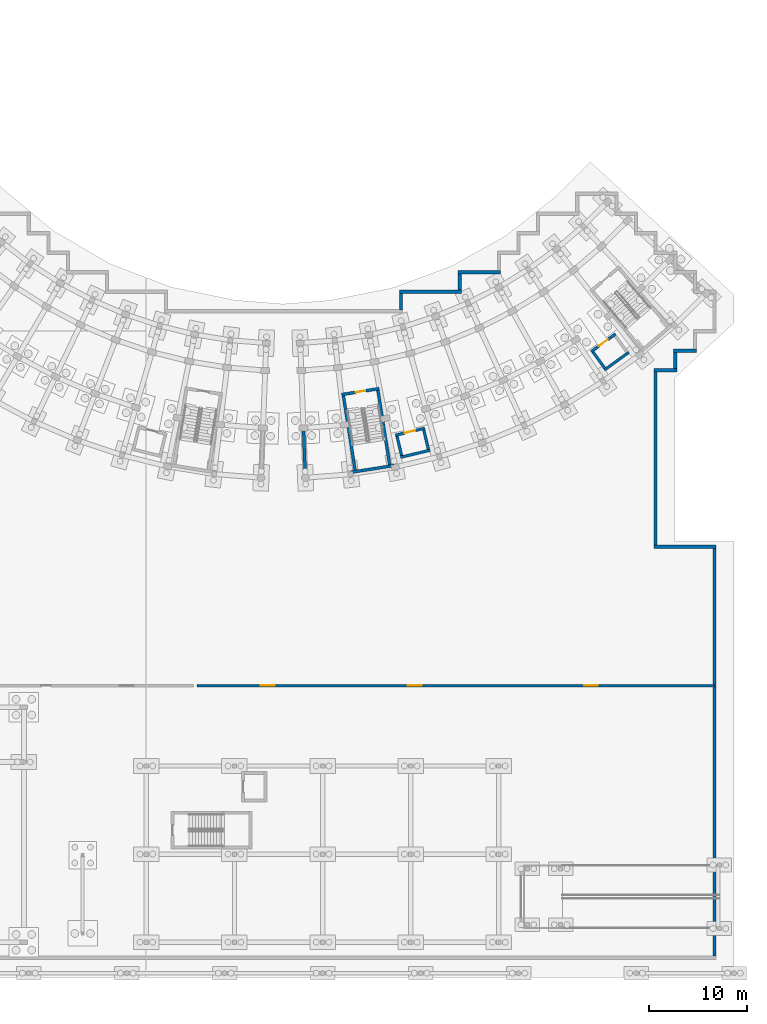
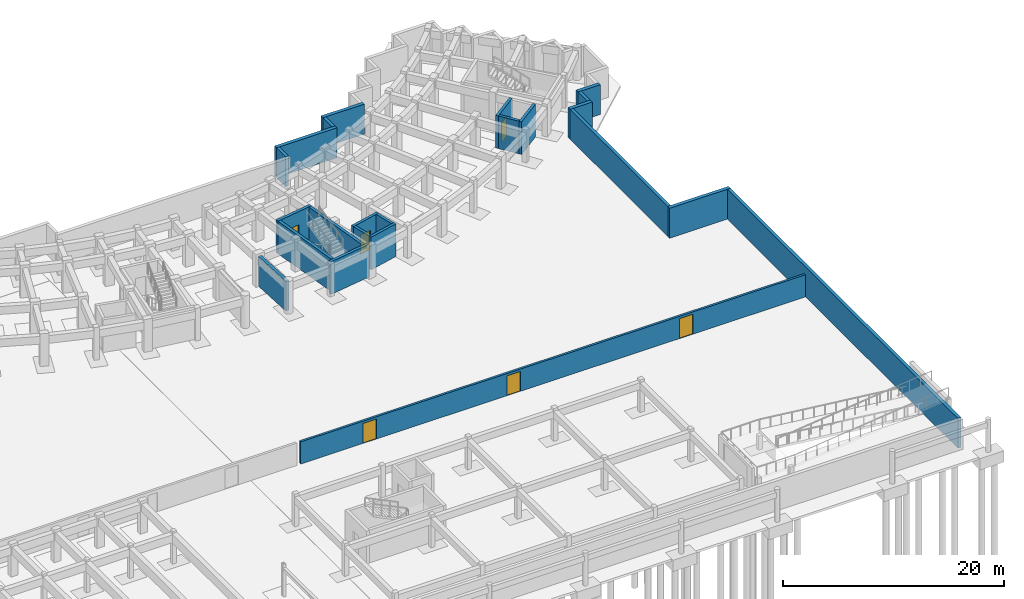
# One storey, part 22 of 32: 23 walls, 6 doors, 6 openings.
"""IFC4 building model written with IfcOpenShell, lengths in metres."""

import ifcopenshell
import ifcopenshell.guid

model = None  # the IFC model being written
_history = None  # IfcOwnerHistory: only IFC2X3 demands one
_inside = {}  # id of a spatial element -> (the spatial element, [elements in it])
_under = {}  # id of a project, library or spatial element -> (it, [spatial elements below it])
_declared = {}  # id of a project -> (the project, [libraries it declares])
_typed = {}  # id of a type object -> (the type object, [elements of that type])
_made_of = {}  # id of a material, layer set ... -> (it, [elements and type objects made of it])


def new_model(schema):
    """Start an empty IFC model of exactly this schema.

    Asked for "IFC4X3", IfcOpenShell would pick the latest addendum, in which some entities
    have other attributes; the version numbers below select the first issue.
    IFC2X3 requires an IfcOwnerHistory on every rooted entity: one is made here for all.
    """
    global model, _history
    if schema == "IFC4X3":
        model = ifcopenshell.file(schema_version=(4, 3, 0, 0))
    else:
        model = ifcopenshell.file(schema=schema)
    _inside.clear()
    _under.clear()
    _declared.clear()
    _typed.clear()
    _made_of.clear()
    _history = None
    if model.schema == "IFC2X3":
        org = make("IfcOrganization", Name="unknown")
        user = make(
            "IfcPersonAndOrganization",
            ThePerson=make("IfcPerson", FamilyName="unknown"),
            TheOrganization=org,
        )
        app = make(
            "IfcApplication",
            ApplicationDeveloper=org,
            Version="unknown",
            ApplicationFullName="unknown",
            ApplicationIdentifier="unknown",
        )
        _history = make(
            "IfcOwnerHistory",
            OwningUser=user,
            OwningApplication=app,
            ChangeAction="ADDED",
            CreationDate=0,
        )
    return model


def make(cls, **values):
    """One entity of the class cls with the attributes given. An attribute that is None is left unset."""
    return model.create_entity(
        cls, **{name: value for name, value in values.items() if value is not None}
    )


def rooted(cls, **values):
    """An entity with a GlobalId (a new one), such as an element, a storey or a relation."""
    return make(cls, GlobalId=ifcopenshell.guid.new(), OwnerHistory=_history, **values)


def si_unit(unit_type, name, prefix=None):
    """IfcSIUnit, for example si_unit("LENGTHUNIT", "METRE", prefix="MILLI")."""
    return make("IfcSIUnit", UnitType=unit_type, Prefix=prefix, Name=name)


def assignment(units):
    """IfcUnitAssignment: the units of a project."""
    return None if units is None else make("IfcUnitAssignment", Units=units)


def point(xyz):
    """IfcCartesianPoint."""
    return None if xyz is None else make("IfcCartesianPoint", Coordinates=xyz)


def direction(xyz):
    """IfcDirection."""
    return None if xyz is None else make("IfcDirection", DirectionRatios=xyz)


def frame(location, z_axis=None, x_axis=None):
    """IfcAxis2Placement3D, a coordinate frame: its origin and axes. An axis left out is left unset."""
    return make(
        "IfcAxis2Placement3D",
        Location=point(location),
        Axis=direction(z_axis),
        RefDirection=direction(x_axis),
    )


def frame_2d(location, x_axis=None):
    """IfcAxis2Placement2D, a coordinate frame in the plane: its origin and x axis."""
    return make(
        "IfcAxis2Placement2D", Location=point(location), RefDirection=direction(x_axis)
    )


def origin():
    """The frame at (0, 0, 0) with its axes left unset."""
    return frame((0.0, 0.0, 0.0))


def place(relative_to, where):
    """IfcLocalPlacement: puts the frame where relative to a parent placement (None: the world)."""
    return make(
        "IfcLocalPlacement", PlacementRelTo=relative_to, RelativePlacement=where
    )


def context(
    kind, dimensions, precision=None, world=None, true_north=None, identifier=None
):
    """IfcGeometricRepresentationContext, for example the 3D "Model" context."""
    return make(
        "IfcGeometricRepresentationContext",
        ContextIdentifier=identifier,
        ContextType=kind,
        CoordinateSpaceDimension=dimensions,
        Precision=precision,
        WorldCoordinateSystem=world,
        TrueNorth=true_north,
    )


def subcontext(parent, identifier, kind, view, scale=None):
    """IfcGeometricRepresentationSubContext, for example "Body" below "Model"."""
    return make(
        "IfcGeometricRepresentationSubContext",
        ContextIdentifier=identifier,
        ContextType=kind,
        ParentContext=parent,
        TargetScale=scale,
        TargetView=view,
    )


def project(units=None, contexts=None):
    """IfcProject with its units and contexts."""
    return rooted(
        "IfcProject",
        Name="project",
        RepresentationContexts=contexts,
        UnitsInContext=assignment(units),
    )


def spatial(cls, under=None, at=None, **own):
    """A site, building, storey or space (cls), placed at a placement, below another one or the project."""
    s = rooted(cls, ObjectPlacement=at, **own)
    if under is not None:
        _under.setdefault(under.id(), (under, []))[1].append(s)
    return s


def profile(cls, at=None, kind="AREA", **sizes):
    """A parametric profile (cls). Its sizes go by their IFC names, for example OverallWidth=200.0."""
    return make(cls, ProfileType=kind, Position=at, **sizes)


def rectangle(**sizes):
    """IfcRectangleProfileDef."""
    return profile("IfcRectangleProfileDef", **sizes)


def extrude(swept, where, along, depth):
    """IfcExtrudedAreaSolid: the profile swept, set in the frame where, extruded along a direction by depth."""
    return make(
        "IfcExtrudedAreaSolid",
        SweptArea=swept,
        Position=where,
        ExtrudedDirection=direction(along),
        Depth=depth,
    )


def shape(context_of_items, identifier, shape_type, items):
    """IfcShapeRepresentation: the items that make up one representation, for example the "Body"."""
    return make(
        "IfcShapeRepresentation",
        ContextOfItems=context_of_items,
        RepresentationIdentifier=identifier,
        RepresentationType=shape_type,
        Items=items,
    )


def material(Name=None, Category=None):
    """IfcMaterial."""
    return make("IfcMaterial", Name=Name, Category=Category)


def layer(
    of_material, thickness, ventilated=None, Name=None, Category=None, Priority=None
):
    """IfcMaterialLayer: one layer of a wall or slab, of a material (None: an air gap)."""
    return make(
        "IfcMaterialLayer",
        Material=of_material,
        LayerThickness=thickness,
        IsVentilated=ventilated,
        Name=Name,
        Category=Category,
        Priority=Priority,
    )


def layer_set(layers, Name=None):
    """IfcMaterialLayerSet."""
    return make("IfcMaterialLayerSet", MaterialLayers=layers, LayerSetName=Name)


def made_of(thing, what):
    """Note that an element or type object is made of a material, layer set ...; save() writes the relation."""
    if what is not None:
        _made_of.setdefault(what.id(), (what, []))[1].append(thing)
    return thing


def type_object(cls, material=None, **own):
    """A type object (cls), such as IfcWallType, which elements share."""
    return made_of(rooted(cls, **own), material)


def element(
    cls,
    number,
    at=None,
    inside=None,
    cuts=None,
    type_object=None,
    material=None,
    context=None,
    identifier="Body",
    shape_type=None,
    held_by="IfcProductDefinitionShape",
    body=None,
    shapes=None,
    **own,
):
    """One element of the class cls, such as IfcWall. Its Tag is "e" and its number.

    at: its placement. inside: the storey or other place that contains it. cuts: it is an
    opening in that element (IfcRelVoidsElement). A single representation is given by context,
    identifier, shape_type and body (its items); several are given by shapes. held_by: the class
    of the entity that holds the representations. save() writes the other relations.
    """
    e = rooted(cls, Tag="e%d" % number, ObjectPlacement=at, **own)
    if body is not None:
        shapes = [shape(context, identifier, shape_type, body)]
    if shapes is not None:
        e.Representation = make(held_by, Representations=shapes)
    if inside is not None:
        _inside.setdefault(inside.id(), (inside, []))[1].append(e)
    if cuts is not None:
        rooted(
            "IfcRelVoidsElement", RelatingBuildingElement=cuts, RelatedOpeningElement=e
        )
    if type_object is not None:
        _typed.setdefault(type_object.id(), (type_object, []))[1].append(e)
    return made_of(e, material)


def fill(opening, filler):
    """IfcRelFillsElement: the door or window that sits in an opening."""
    return rooted(
        "IfcRelFillsElement",
        RelatingOpeningElement=opening,
        RelatedBuildingElement=filler,
    )


def aggregate(whole, parts):
    """IfcRelAggregates: a whole, such as a stair, and the parts it consists of."""
    return rooted("IfcRelAggregates", RelatingObject=whole, RelatedObjects=parts)


def save(model, path):
    """Write the relations noted so far, then the file.

    IfcRelAggregates (storeys below a building ...), IfcRelContainedInSpatialStructure (elements
    in a storey), IfcRelDefinesByType, IfcRelAssociatesMaterial and IfcRelDeclares: one each for
    every whole, place, type object, material and project.
    """
    for whole, parts in _under.values():
        aggregate(whole, parts)
    for where, things in _inside.values():
        rooted(
            "IfcRelContainedInSpatialStructure",
            RelatedElements=things,
            RelatingStructure=where,
        )
    for kind, things in _typed.values():
        rooted("IfcRelDefinesByType", RelatedObjects=things, RelatingType=kind)
    for what, things in _made_of.values():
        rooted("IfcRelAssociatesMaterial", RelatedObjects=things, RelatingMaterial=what)
    for by, libraries in _declared.values():
        rooted("IfcRelDeclares", RelatingContext=by, RelatedDefinitions=libraries)
    model.write(path)


model = new_model("IFC4")

# Units and contexts
model_context = context("Model", 3, precision=1e-05, world=origin(), true_north=direction((0.0, 1.0)))
body_context = subcontext(model_context, "Body", "Model", "MODEL_VIEW")
ifc_project = project(units=[si_unit("LENGTHUNIT", "METRE"), si_unit("AREAUNIT", "SQUARE_METRE"), si_unit("VOLUMEUNIT", "CUBIC_METRE"), si_unit("PLANEANGLEUNIT", "RADIAN"), si_unit("MASSUNIT", "GRAM", prefix="KILO")], contexts=[model_context])

# Site, building, storey
site_placement = place(None, origin())
site = spatial("IfcSite", under=ifc_project, at=site_placement, CompositionType="ELEMENT")
building_placement = place(site_placement, origin())
building = spatial("IfcBuilding", under=site, at=building_placement, Name="Zimvara Arc Housing Community", CompositionType="ELEMENT")
storey_placement = place(building_placement, frame((0.0, 0.0, -3.60009765625)))
storey = spatial("IfcBuildingStorey", under=building, at=storey_placement, Name="B1", CompositionType="ELEMENT", Elevation=-3.60009765625)

# Wall, openings, doors
ifc_material_1 = material(Name="Concrete C35/45", Category="concrete")
ifc_layer_1 = layer(ifc_material_1, 0.22509765625)
ifc_layer_set_1 = layer_set([ifc_layer_1], Name="Concrete C35/45")
wall_type_1 = type_object("IfcWallType", Name="IWL-PLNT-225", PredefinedType="SOLIDWALL", material=ifc_layer_set_1)
wall_1_placement = place(storey_placement, frame((117.199951171875, 29.800048828125, 0.0), z_axis=(0.0, 0.0, 1.0), x_axis=(1.0, 0.0, 0.0)))
wall_1 = element("IfcWall", 1, at=wall_1_placement, inside=storey, type_object=wall_type_1, Name="iwall:civ:b1_east_pl", PredefinedType="SOLIDWALL", context=body_context, shape_type="SweptSolid", body=[
    extrude(rectangle(XDim=52.800048828125, YDim=0.22509765625, at=frame_2d((26.39990234375, 0.0))), origin(), (0.0, 0.0, 1.0), 2.4501953125),
])
opening_1_placement = place(wall_1_placement, frame((6.5, 0.0, 0.0)))
opening_1 = element("IfcOpeningElement", 2, at=opening_1_placement, cuts=wall_1, Name="Opening FD-PL2", PredefinedType="OPENING", context=body_context, shape_type="SweptSolid", body=[
    extrude(rectangle(XDim=1.39990234375, YDim=2.199951171875, at=frame_2d((0.699951171875, 1.10009765625))), frame((0.0, 0.12255859375, 0.0), z_axis=(0.0, -1.0, 0.0), x_axis=(1.0, 0.0, 0.0)), (0.0, 0.0, 1.0), 0.2451171875),
])
opening_2_placement = place(wall_1_placement, frame((21.5, 0.0, 0.0)))
opening_2 = element("IfcOpeningElement", 3, at=opening_2_placement, cuts=wall_1, Name="Opening FD-PL2", PredefinedType="OPENING", context=body_context, shape_type="SweptSolid", body=[
    extrude(rectangle(XDim=1.39990234375, YDim=2.199951171875, at=frame_2d((0.699951171875, 1.10009765625))), frame((0.0, 0.12255859375, 0.0), z_axis=(0.0, -1.0, 0.0), x_axis=(1.0, 0.0, 0.0)), (0.0, 0.0, 1.0), 0.2451171875),
])
opening_3_placement = place(wall_1_placement, frame((39.5, 0.0, 0.0)))
opening_3 = element("IfcOpeningElement", 4, at=opening_3_placement, cuts=wall_1, Name="Opening FD-PL2", PredefinedType="OPENING", context=body_context, shape_type="SweptSolid", body=[
    extrude(rectangle(XDim=1.39990234375, YDim=2.199951171875, at=frame_2d((0.699951171875, 1.10009765625))), frame((0.0, 0.12255859375, 0.0), z_axis=(0.0, -1.0, 0.0), x_axis=(1.0, 0.0, 0.0)), (0.0, 0.0, 1.0), 0.2451171875),
])
ifc_material_2 = material(Name="Anodised Aluminium AW-6063", Category="aluminium")
door_type_1 = type_object("IfcDoorType", Name="IDR-PLNT-1400x2200", OperationType="DOUBLE_DOOR_SINGLE_SWING", PredefinedType="DOOR", material=ifc_material_2)
door_1_placement = place(opening_1_placement, origin())
door_1 = element("IfcDoor", 5, at=door_1_placement, inside=storey, type_object=door_type_1, Name="idoor:civ:sub_d", OperationType="DOUBLE_DOOR_SINGLE_SWING", OverallHeight=2.199951171875, OverallWidth=1.39990234375, PredefinedType="DOOR", context=body_context, shape_type="SweptSolid", body=[
    extrude(rectangle(XDim=1.39990234375, YDim=2.199951171875, at=frame_2d((0.699951171875, 1.10009765625))), frame((0.0, 0.02490234375, 0.0), z_axis=(0.0, -1.0, 0.0), x_axis=(1.0, 0.0, 0.0)), (0.0, 0.0, 1.0), 0.050048828125),
])
fill(opening_1, door_1)
door_2_placement = place(opening_2_placement, origin())
door_2 = element("IfcDoor", 6, at=door_2_placement, inside=storey, type_object=door_type_1, Name="idoor:civ:gen_d", OperationType="DOUBLE_DOOR_SINGLE_SWING", OverallHeight=2.199951171875, OverallWidth=1.39990234375, PredefinedType="DOOR", context=body_context, shape_type="SweptSolid", body=[
    extrude(rectangle(XDim=1.39990234375, YDim=2.199951171875, at=frame_2d((0.699951171875, 1.10009765625))), frame((0.0, 0.02490234375, 0.0), z_axis=(0.0, -1.0, 0.0), x_axis=(1.0, 0.0, 0.0)), (0.0, 0.0, 1.0), 0.050048828125),
])
fill(opening_2, door_2)
door_3_placement = place(opening_3_placement, origin())
door_3 = element("IfcDoor", 7, at=door_3_placement, inside=storey, type_object=door_type_1, Name="idoor:civ:cye_d", OperationType="DOUBLE_DOOR_SINGLE_SWING", OverallHeight=2.199951171875, OverallWidth=1.39990234375, PredefinedType="DOOR", context=body_context, shape_type="SweptSolid", body=[
    extrude(rectangle(XDim=1.39990234375, YDim=2.199951171875, at=frame_2d((0.699951171875, 1.10009765625))), frame((0.0, 0.02490234375, 0.0), z_axis=(0.0, -1.0, 0.0), x_axis=(1.0, 0.0, 0.0)), (0.0, 0.0, 1.0), 0.050048828125),
])
fill(opening_3, door_3)

# Wall, opening, door
ifc_material_3 = material(Name="Concrete C40/50", Category="concrete")
ifc_layer_2 = layer(ifc_material_3, 0.280029296875)
ifc_layer_set_2 = layer_set([ifc_layer_2], Name="Concrete C40/50")
wall_type_2 = type_object("IfcWallType", Name="WL-CORE-280", PredefinedType="SHEAR", material=ifc_layer_set_2)
wall_2_placement = place(storey_placement, frame((137.4248046875, 55.3623046875, 0.0), z_axis=(0.0, 0.0, 1.0), x_axis=(0.972573452388, 0.232595958069, 0.0)))
wall_2 = element("IfcWall", 8, at=wall_2_placement, inside=storey, type_object=wall_type_2, Name="lwall:LP-D1:B1:front", PredefinedType="SHEAR", context=body_context, shape_type="SweptSolid", body=[
    extrude(rectangle(XDim=3.090087890625, YDim=0.280029296875, at=frame_2d((1.544921875, 0.0))), origin(), (0.0, 0.0, 1.0), 3.60009765625),
])
opening_4_placement = place(wall_2_placement, frame((0.9951171875, 0.0, 0.0)))
opening_4 = element("IfcOpeningElement", 9, at=opening_4_placement, cuts=wall_2, Name="Opening LD-LP-D1", PredefinedType="OPENING", context=body_context, shape_type="SweptSolid", body=[
    extrude(rectangle(XDim=1.10009765625, YDim=2.14990234375, at=frame_2d((0.550048828125, 1.074951171875))), frame((0.0, 0.14990234375, 0.0), z_axis=(0.0, -1.0, 0.0), x_axis=(1.0, 0.0, 0.0)), (0.0, 0.0, 1.0), 0.300048828125),
])
ifc_material_4 = material(Name="Anodised Aluminium AW-6063", Category="aluminium")
door_type_2 = type_object("IfcDoorType", Name="IDR-LD-1100x2150", OperationType="DOUBLE_DOOR_SLIDING", PredefinedType="DOOR", material=ifc_material_4)
door_4_placement = place(opening_4_placement, origin())
door_4 = element("IfcDoor", 10, at=door_4_placement, inside=storey, type_object=door_type_2, Name="Lift LP-D1 Sliding Landing Door B1", OperationType="DOUBLE_DOOR_SLIDING", OverallHeight=2.14990234375, OverallWidth=1.10009765625, PredefinedType="DOOR", context=body_context, shape_type="SweptSolid", body=[
    extrude(rectangle(XDim=1.10009765625, YDim=2.14990234375, at=frame_2d((0.550048828125, 1.074951171875))), frame((0.0, 0.02490234375, 0.0), z_axis=(0.0, -1.0, 0.0), x_axis=(1.0, 0.0, 0.0)), (0.0, 0.0, 1.0), 0.050048828125),
])
fill(opening_4, door_4)

# Walls
wall_3_placement = place(storey_placement, frame((137.962158203125, 53.11572265625, 0.0), z_axis=(0.0, 0.0, 1.0), x_axis=(0.972573452388, 0.232595958069, 0.0)))
element("IfcWall", 11, at=wall_3_placement, inside=storey, type_object=wall_type_2, Name="lwall:LP-D1:B1:back", PredefinedType="SHEAR", context=body_context, shape_type="SweptSolid", body=[
    extrude(rectangle(XDim=3.090087890625, YDim=0.280029296875, at=frame_2d((1.544921875, 0.0))), origin(), (0.0, 0.0, 1.0), 3.60009765625),
])
for number, where, z_axis, x_axis, name in (
    (12, (137.593505859375, 55.2587890625, 0.0), (0.0, 0.0, 1.0), (0.232590524316, -0.972574751882, 0.0), "lwall:LP-D1:B1:left"),
    (13, (140.326416015625, 55.912353515625, 0.0), (0.0, 0.0, 1.0), (0.232590524316, -0.972574751882, 0.0), "lwall:LP-D1:B1:right"),
):
    element("IfcWall", number, at=place(storey_placement, frame(where, z_axis=z_axis, x_axis=x_axis)), inside=storey, type_object=wall_type_2, Name=name, PredefinedType="SHEAR", context=body_context, shape_type="SweptSolid", body=[
        extrude(rectangle(XDim=2.030029296875, YDim=0.280029296875, at=frame_2d((1.01513671875, 0.0))), origin(), (0.0, 0.0, 1.0), 3.60009765625),
    ])

# Wall, opening, door
wall_4_placement = place(storey_placement, frame((157.408935546875, 63.890380859375, 0.0), z_axis=(0.0, 0.0, 1.0), x_axis=(0.809510936031, 0.587104798521, 0.0)))
wall_4 = element("IfcWall", 14, at=wall_4_placement, inside=storey, type_object=wall_type_2, Name="lwall:LP-D2:B1:front", PredefinedType="SHEAR", context=body_context, shape_type="SweptSolid", body=[
    extrude(rectangle(XDim=3.090087890625, YDim=0.280029296875, at=frame_2d((1.544921875, 0.0))), origin(), (0.0, 0.0, 1.0), 3.60009765625),
])
opening_5_placement = place(wall_4_placement, frame((0.9951171875, 0.0, 0.0)))
opening_5 = element("IfcOpeningElement", 15, at=opening_5_placement, cuts=wall_4, Name="Opening LD-LP-D2", PredefinedType="OPENING", context=body_context, shape_type="SweptSolid", body=[
    extrude(rectangle(XDim=1.10009765625, YDim=2.14990234375, at=frame_2d((0.550048828125, 1.074951171875))), frame((0.0, 0.14990234375, 0.0), z_axis=(0.0, -1.0, 0.0), x_axis=(1.0, 0.0, 0.0)), (0.0, 0.0, 1.0), 0.300048828125),
])
door_5_placement = place(opening_5_placement, origin())
door_5 = element("IfcDoor", 16, at=door_5_placement, inside=storey, type_object=door_type_2, Name="Lift LP-D2 Sliding Landing Door B1", OperationType="DOUBLE_DOOR_SLIDING", OverallHeight=2.14990234375, OverallWidth=1.10009765625, PredefinedType="DOOR", context=body_context, shape_type="SweptSolid", body=[
    extrude(rectangle(XDim=1.10009765625, YDim=2.14990234375, at=frame_2d((0.550048828125, 1.074951171875))), frame((0.0, 0.02490234375, 0.0), z_axis=(0.0, -1.0, 0.0), x_axis=(1.0, 0.0, 0.0)), (0.0, 0.0, 1.0), 0.050048828125),
])
fill(opening_5, door_5)

# Walls
wall_5_placement = place(storey_placement, frame((158.76513671875, 62.0205078125, 0.0), z_axis=(0.0, 0.0, 1.0), x_axis=(0.809548485838, 0.587053020669, 0.0)))
element("IfcWall", 17, at=wall_5_placement, inside=storey, type_object=wall_type_2, Name="lwall:LP-D2:B1:back", PredefinedType="SHEAR", context=body_context, shape_type="SweptSolid", body=[
    extrude(rectangle(XDim=3.08984375, YDim=0.280029296875, at=frame_2d((1.544921875, 0.0))), origin(), (0.0, 0.0, 1.0), 3.60009765625),
])
wall_6_placement = place(storey_placement, frame((157.6044921875, 63.859375, 0.0), z_axis=(0.0, 0.0, 1.0), x_axis=(0.587127188998, -0.809494696671, 0.0)))
element("IfcWall", 18, at=wall_6_placement, inside=storey, type_object=wall_type_2, Name="lwall:LP-D2:B1:left", PredefinedType="SHEAR", context=body_context, shape_type="SweptSolid", body=[
    extrude(rectangle(XDim=2.030029296875, YDim=0.280029296875, at=frame_2d((1.01513671875, 0.0))), origin(), (0.0, 0.0, 1.0), 3.60009765625),
])

# Wall, opening, door
ifc_material_5 = material(Name="Concrete C40/50", Category="concrete")
ifc_layer_3 = layer(ifc_material_5, 0.300048828125)
ifc_layer_set_3 = layer_set([ifc_layer_3], Name="Concrete C40/50")
wall_type_3 = type_object("IfcWallType", Name="WL-CORE-300", PredefinedType="SHEAR", material=ifc_layer_set_3)
wall_7_placement = place(storey_placement, frame((131.948974609375, 59.520751953125, 0.0), z_axis=(0.0, 0.0, 1.0), x_axis=(0.98782579805, 0.155564111245, 0.0)))
wall_7 = element("IfcWall", 19, at=wall_7_placement, inside=storey, type_object=wall_type_3, Name="cwall:ST-D1:B1:near", PredefinedType="SHEAR", context=body_context, shape_type="SweptSolid", body=[
    extrude(rectangle(XDim=3.8701171875, YDim=0.300048828125, at=frame_2d((1.93505859375, 0.0))), origin(), (0.0, 0.0, 1.0), 3.60009765625),
])
opening_6_placement = place(wall_7_placement, frame((1.43505859375, 0.0, 0.0)))
opening_6 = element("IfcOpeningElement", 20, at=opening_6_placement, cuts=wall_7, Name="Opening FD-ST1", PredefinedType="OPENING", context=body_context, shape_type="SweptSolid", body=[
    extrude(rectangle(XDim=1.0, YDim=2.14990234375, at=frame_2d((0.5, 1.074951171875))), frame((0.0, 0.159912109375, 0.0), z_axis=(0.0, -1.0, 0.0), x_axis=(1.0, 0.0, 0.0)), (0.0, 0.0, 1.0), 0.320068359375),
])
ifc_material_6 = material(Name="Anodised Aluminium AW-6063", Category="aluminium")
door_type_3 = type_object("IfcDoorType", Name="IDR-ST-1000x2150", OperationType="NOTDEFINED", PredefinedType="DOOR", material=ifc_material_6)
door_6_placement = place(opening_6_placement, origin())
door_6 = element("IfcDoor", 21, at=door_6_placement, inside=storey, type_object=door_type_3, Name="idoor:ST-D1:B1:entry", OperationType="SINGLE_SWING_LEFT", OverallHeight=2.14990234375, OverallWidth=1.0, PredefinedType="DOOR", context=body_context, shape_type="SweptSolid", body=[
    extrude(rectangle(XDim=1.0, YDim=2.14990234375, at=frame_2d((0.5, 1.074951171875))), frame((0.0, 0.02490234375, 0.0), z_axis=(0.0, -1.0, 0.0), x_axis=(1.0, 0.0, 0.0)), (0.0, 0.0, 1.0), 0.050048828125),
])
fill(opening_6, door_6)

# Walls
wall_8_placement = place(storey_placement, frame((132.895751953125, 51.581298828125, 0.0), z_axis=(0.0, 0.0, 1.0), x_axis=(0.987819142769, 0.155606366126, 0.0)))
element("IfcWall", 22, at=wall_8_placement, inside=storey, type_object=wall_type_3, Name="cwall:ST-D1:B1:far", PredefinedType="SHEAR", context=body_context, shape_type="SweptSolid", body=[
    extrude(rectangle(XDim=4.469970703125, YDim=0.300048828125, at=frame_2d((2.23486328125, 0.0))), origin(), (0.0, 0.0, 1.0), 3.60009765625),
])
wall_9_placement = place(storey_placement, frame((132.12060546875, 59.39599609375, 0.0), z_axis=(0.0, 0.0, 1.0), x_axis=(0.155563141844, -0.987825950712, 0.0)))
element("IfcWall", 23, at=wall_9_placement, inside=storey, type_object=wall_type_3, Name="cwall:ST-D1:B1:left", PredefinedType="SHEAR", context=body_context, shape_type="SweptSolid", body=[
    extrude(rectangle(XDim=7.68994140625, YDim=0.300048828125, at=frame_2d((3.844970703125, 0.0))), origin(), (0.0, 0.0, 1.0), 3.60009765625),
])
wall_10_placement = place(storey_placement, frame((135.647216796875, 59.951171875, 0.0), z_axis=(0.0, 0.0, 1.0), x_axis=(0.155568020624, -0.987825182388, 0.0)))
element("IfcWall", 24, at=wall_10_placement, inside=storey, type_object=wall_type_3, Name="cwall:ST-D1:B1:right", PredefinedType="SHEAR", context=body_context, shape_type="SweptSolid", body=[
    extrude(rectangle(XDim=7.689697265625, YDim=0.300048828125, at=frame_2d((3.8447265625, 0.0))), origin(), (0.0, 0.0, 1.0), 3.60009765625),
])
ifc_material_7 = material(Name="Concrete C35/45", Category="concrete")
ifc_layer_4 = layer(ifc_material_7, 0.320068359375)
ifc_layer_set_4 = layer_set([ifc_layer_4], Name="Concrete C35/45")
wall_type_4 = type_object("IfcWallType", Name="WL-RET-320", PredefinedType="USERDEFINED", material=ifc_layer_set_4)
wall_11_placement = place(storey_placement, frame((164.0, 44.175048828125, 0.0), z_axis=(0.0, 0.0, 1.0), x_axis=(0.0, 1.0, 0.0)))
element("IfcWall", 25, at=wall_11_placement, inside=storey, type_object=wall_type_4, Name="wall:B1:ret:2", ObjectType="RETAINING WALL", PredefinedType="USERDEFINED", context=body_context, shape_type="SweptSolid", body=[
    extrude(rectangle(XDim=17.64990234375, YDim=0.320068359375, at=frame_2d((8.824951171875, 0.0))), origin(), (0.0, 0.0, 1.0), 3.300048828125),
])
for number, where, z_axis, x_axis, name in (
    (26, (166.0, 62.175048828125, 0.0), (0.0, 0.0, 1.0), (0.0, 1.0, 0.0), "wall:B1:ret:4"),
    (27, (144.0, 71.824951171875, 0.0), (0.0, 0.0, 1.0), (0.0, -1.0, 0.0), "wall:B1:ret:28"),
    (28, (138.0, 69.824951171875, 0.0), (0.0, 0.0, 1.0), (0.0, -1.0, 0.0), "wall:B1:ret:30"),
):
    element("IfcWall", number, at=place(storey_placement, frame(where, z_axis=z_axis, x_axis=x_axis)), inside=storey, type_object=wall_type_4, Name=name, ObjectType="RETAINING WALL", PredefinedType="USERDEFINED", context=body_context, shape_type="SweptSolid", body=[
        extrude(rectangle(XDim=1.64990234375, YDim=0.320068359375, at=frame_2d((0.824951171875, 0.0))), origin(), (0.0, 0.0, 1.0), 3.300048828125),
    ])
wall_12_placement = place(storey_placement, frame((170.0, 2.175048828125, 0.0), z_axis=(0.0, 0.0, 1.0), x_axis=(0.0, 1.0, 0.0)))
element("IfcWall", 29, at=wall_12_placement, inside=storey, type_object=wall_type_4, Name="wall:B1:ret:136", ObjectType="RETAINING WALL", PredefinedType="USERDEFINED", context=body_context, shape_type="SweptSolid", body=[
    extrude(rectangle(XDim=41.64990234375, YDim=0.320068359375, at=frame_2d((20.824951171875, 0.0))), origin(), (0.0, 0.0, 1.0), 3.300048828125),
])
ifc_material_8 = material(Name="Concrete C35/45", Category="concrete")
ifc_layer_5 = layer(ifc_material_8, 0.360107421875)
ifc_layer_set_5 = layer_set([ifc_layer_5], Name="Concrete C35/45")
wall_type_5 = type_object("IfcWallType", Name="WL-RET-360", PredefinedType="USERDEFINED", material=ifc_layer_set_5)
wall_13_placement = place(storey_placement, frame((170.159912109375, 44.0, 0.0), z_axis=(0.0, 0.0, 1.0), x_axis=(-1.0, 0.0, 0.0)))
element("IfcWall", 30, at=wall_13_placement, inside=storey, type_object=wall_type_5, Name="wall:B1:ret:1", ObjectType="RETAINING WALL", PredefinedType="USERDEFINED", context=body_context, shape_type="SweptSolid", body=[
    extrude(rectangle(XDim=6.31982421875, YDim=0.360107421875, at=frame_2d((3.159912109375, 0.0))), origin(), (0.0, 0.0, 1.0), 3.300048828125),
])
for number, where, z_axis, x_axis, name in (
    (31, (163.840087890625, 62.0, 0.0), (0.0, 0.0, 1.0), (1.0, 0.0, 0.0), "wall:B1:ret:3"),
    (32, (165.840087890625, 64.0, 0.0), (0.0, 0.0, 1.0), (1.0, 0.0, 0.0), "wall:B1:ret:5"),
):
    element("IfcWall", number, at=place(storey_placement, frame(where, z_axis=z_axis, x_axis=x_axis)), inside=storey, type_object=wall_type_5, Name=name, ObjectType="RETAINING WALL", PredefinedType="USERDEFINED", context=body_context, shape_type="SweptSolid", body=[
        extrude(rectangle(XDim=2.31982421875, YDim=0.360107421875, at=frame_2d((1.159912109375, 0.0))), origin(), (0.0, 0.0, 1.0), 3.300048828125),
    ])
wall_14_placement = place(storey_placement, frame((148.159912109375, 72.0, 0.0), z_axis=(0.0, 0.0, 1.0), x_axis=(-1.0, 0.0, 0.0)))
element("IfcWall", 33, at=wall_14_placement, inside=storey, type_object=wall_type_5, Name="wall:B1:ret:27", ObjectType="RETAINING WALL", PredefinedType="USERDEFINED", context=body_context, shape_type="SweptSolid", body=[
    extrude(rectangle(XDim=4.31982421875, YDim=0.360107421875, at=frame_2d((2.159912109375, 0.0))), origin(), (0.0, 0.0, 1.0), 3.300048828125),
])
wall_15_placement = place(storey_placement, frame((144.159912109375, 70.0, 0.0), z_axis=(0.0, 0.0, 1.0), x_axis=(-1.0, 0.0, 0.0)))
element("IfcWall", 34, at=wall_15_placement, inside=storey, type_object=wall_type_5, Name="wall:B1:ret:29", ObjectType="RETAINING WALL", PredefinedType="USERDEFINED", context=body_context, shape_type="SweptSolid", body=[
    extrude(rectangle(XDim=6.31982421875, YDim=0.360107421875, at=frame_2d((3.159912109375, 0.0))), origin(), (0.0, 0.0, 1.0), 3.300048828125),
])
ifc_material_9 = material(Name="Concrete C40/50", Category="concrete")
ifc_layer_6 = layer(ifc_material_9, 0.31005859375)
ifc_layer_set_6 = layer_set([ifc_layer_6], Name="Concrete C40/50")
wall_type_6 = type_object("IfcWallType", Name="WL-SHEAR-310", PredefinedType="SHEAR", material=ifc_layer_set_6)
wall_16_placement = place(storey_placement, frame((128.05224609375, 55.919677734375, 0.0), z_axis=(0.0, 0.0, 1.0), x_axis=(0.038381471406, -0.99926315986, 0.0)))
element("IfcWall", 35, at=wall_16_placement, inside=storey, type_object=wall_type_6, Name="swall:blkD:B1:west", PredefinedType="SHEAR", context=body_context, shape_type="SweptSolid", body=[
    extrude(rectangle(XDim=4.7197265625, YDim=0.31005859375, at=frame_2d((2.35986328125, 0.0))), origin(), (0.0, 0.0, 1.0), 3.300048828125),
])

save(model, "model.ifc")
